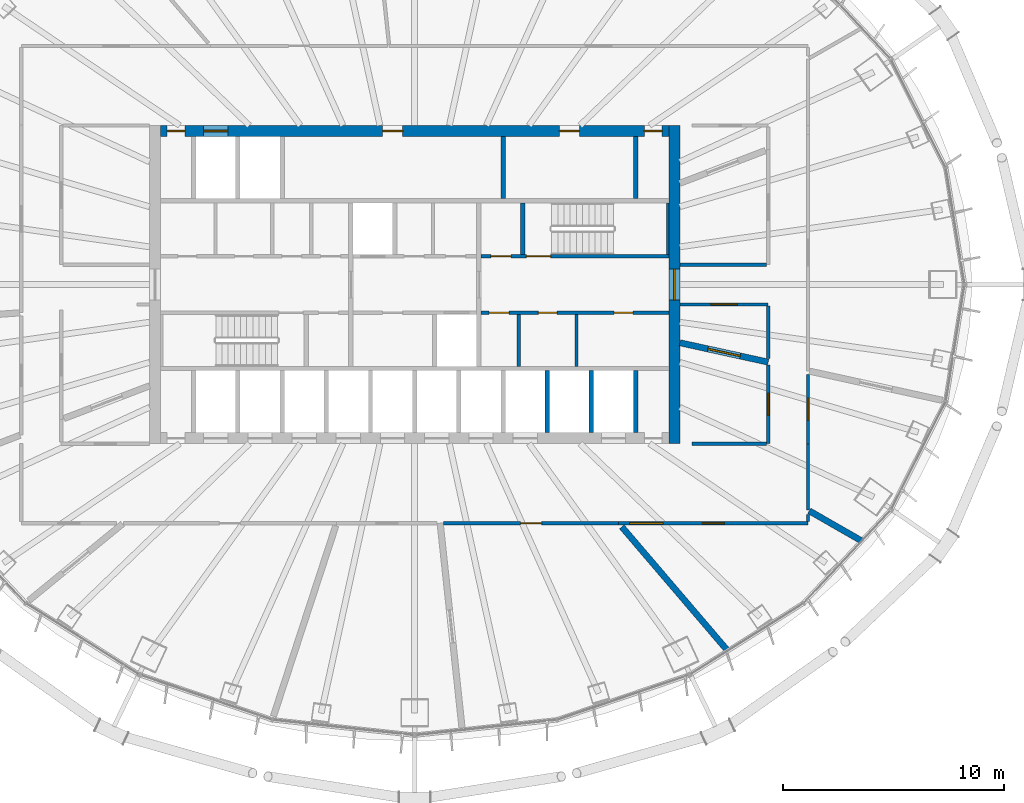
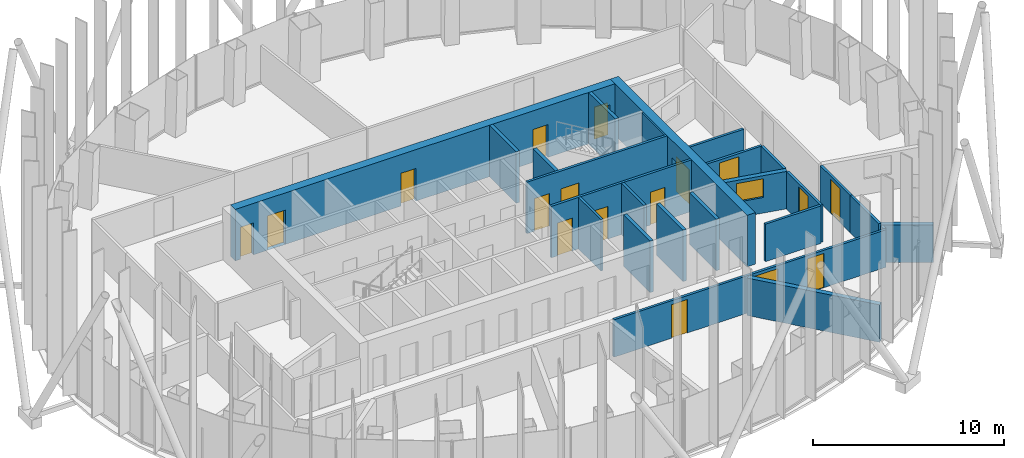
# One storey, part 10 of 19: 26 walls, 16 doors, 2 windows, 18 openings.
"""IFC4 building model written with IfcOpenShell, lengths in metres."""

from ifc_helpers import new_model, si_unit, direction, frame, frame_2d, origin, place, context, subcontext, project, spatial, rectangle, extrude, material, layer, layer_set, type_object, element, fill, save


model = new_model("IFC4")

# Units and contexts
model_context = context("Model", 3, precision=1e-05, world=origin(), true_north=direction((0.0, 1.0)))
body_context = subcontext(model_context, "Body", "Model", "MODEL_VIEW")
ifc_project = project(units=[si_unit("LENGTHUNIT", "METRE"), si_unit("AREAUNIT", "SQUARE_METRE"), si_unit("VOLUMEUNIT", "CUBIC_METRE"), si_unit("PLANEANGLEUNIT", "RADIAN"), si_unit("MASSUNIT", "GRAM", prefix="KILO")], contexts=[model_context])

# Site, building, storey
site_placement = place(None, origin())
site = spatial("IfcSite", under=ifc_project, at=site_placement, CompositionType="ELEMENT")
building_placement = place(site_placement, origin())
building = spatial("IfcBuilding", under=site, at=building_placement, Name="Siaravel Broadcast Tower", CompositionType="ELEMENT")
storey_placement = place(building_placement, frame((0.0, 0.0, 130.39990234375)))
storey = spatial("IfcBuildingStorey", under=building, at=storey_placement, Name="L31", CompositionType="ELEMENT", Elevation=130.39990234375)

# Wall
ifc_material_1 = material(Name="Double-leaf acoustic partition", Category="gypsum")
ifc_layer_1 = layer(ifc_material_1, 0.280029296875)
ifc_layer_set_1 = layer_set([ifc_layer_1], Name="Double-leaf acoustic partition")
wall_type_1 = type_object("IfcWallType", Name="Acoustic double-leaf wall 280", PredefinedType="PARTITIONING", material=ifc_layer_set_1)
wall_1_placement = place(storey_placement, frame((14.1669921875, -16.572998046875, 0.0), z_axis=(0.0, 0.0, 1.0), x_axis=(-0.649760169, 0.760139279, 0.0)))
element("IfcWall", 1, at=wall_1_placement, inside=storey, type_object=wall_type_1, Name="L31 partition 13", PredefinedType="PARTITIONING", context=body_context, shape_type="SweptSolid", body=[
    extrude(rectangle(XDim=7.374267578125, YDim=0.280029296875, at=frame_2d((3.68701171875, 0.0))), origin(), (0.0, 0.0, 1.0), 2.400146484375),
])

# Wall, opening, window
wall_2_placement = place(storey_placement, frame((16.0, -3.51171875, 0.0), z_axis=(0.0, 0.0, 1.0), x_axis=(-0.976750433, 0.214379551, 0.0)))
wall_2 = element("IfcWall", 2, at=wall_2_placement, inside=storey, type_object=wall_type_1, Name="L31 partition 26", PredefinedType="PARTITIONING", context=body_context, shape_type="SweptSolid", body=[
    extrude(rectangle(XDim=4.09521484375, YDim=0.280029296875, at=frame_2d((2.047607421875, 0.0))), origin(), (0.0, 0.0, 1.0), 2.400146484375),
])
opening_1_placement = place(wall_2_placement, frame((1.297607421875, 0.0, 1.0)))
opening_1 = element("IfcOpeningElement", 3, at=opening_1_placement, cuts=wall_2, Name="Opening L31-W06", PredefinedType="OPENING", context=body_context, shape_type="SweptSolid", body=[
    extrude(rectangle(XDim=1.5, YDim=1.199951171875, at=frame_2d((0.75, 0.60009765625))), frame((0.0, 0.14990234375, 0.0), z_axis=(0.0, -1.0, 0.0), x_axis=(1.0, 0.0, 0.0)), (0.0, 0.0, 1.0), 0.300048828125),
])
ifc_material_2 = material(Name="Laminated acoustic glass", Category="glass")
window_type = type_object("IfcWindowType", Name="Studio viewing window 1500", PartitioningType="SINGLE_PANEL", PredefinedType="WINDOW", material=ifc_material_2)
window_1_placement = place(opening_1_placement, origin())
window_1 = element("IfcWindow", 4, at=window_1_placement, inside=storey, type_object=window_type, Name="L31 viewing window to Viewing theatre", OverallHeight=1.199951171875, OverallWidth=1.5, PartitioningType="SINGLE_PANEL", PredefinedType="WINDOW", context=body_context, shape_type="SweptSolid", body=[
    extrude(rectangle(XDim=1.5, YDim=1.199951171875, at=frame_2d((0.75, 0.60009765625))), frame((0.0, 0.030029296875, 0.0), z_axis=(0.0, -1.0, 0.0), x_axis=(1.0, 0.0, 0.0)), (0.0, 0.0, 1.0), 0.06005859375),
])
fill(opening_1, window_1)

# Walls
wall_3_placement = place(storey_placement, frame((20.240234375, -11.60888671875, 0.0), z_axis=(0.0, 0.0, 1.0), x_axis=(-0.867454205, 0.497517037, 0.0)))
element("IfcWall", 5, at=wall_3_placement, inside=storey, type_object=wall_type_1, Name="L31 partition 41", PredefinedType="PARTITIONING", context=body_context, shape_type="SweptSolid", body=[
    extrude(rectangle(XDim=2.74609375, YDim=0.280029296875, at=frame_2d((1.373046875, 0.0))), origin(), (0.0, 0.0, 1.0), 2.400146484375),
])
ifc_material_3 = material(Name="Concrete blockwork", Category="masonry")
ifc_layer_2 = layer(ifc_material_3, 0.14990234375)
ifc_layer_set_2 = layer_set([ifc_layer_2], Name="Concrete blockwork")
wall_type_2 = type_object("IfcWallType", Name="Core partition 150", PredefinedType="PARTITIONING", material=ifc_layer_set_2)
for number, where, z_axis, x_axis, name in (
    (6, (4.715087890625, -3.699951171875, 0.0), (0.0, 0.0, 1.0), (0.0, 1.0, 0.0), "L31 core partition PSE0"),
    (7, (7.324951171875, -3.699951171875, 0.0), (0.0, 0.0, 1.0), (0.0, 1.0, 0.0), "L31 core partition PSE1"),
):
    element("IfcWall", number, at=place(storey_placement, frame(where, z_axis=z_axis, x_axis=x_axis)), inside=storey, type_object=wall_type_2, Name=name, PredefinedType="PARTITIONING", context=body_context, shape_type="SweptSolid", body=[
        extrude(rectangle(XDim=2.349853515625, YDim=0.14990234375, at=frame_2d((1.1748046875, 0.0))), origin(), (0.0, 0.0, 1.0), 3.300048828125),
    ])
ifc_layer_3 = layer(ifc_material_3, 0.199951171875)
ifc_layer_set_3 = layer_set([ifc_layer_3], Name="Concrete blockwork")
wall_type_3 = type_object("IfcWallType", Name="Core partition 200", PredefinedType="PARTITIONING", material=ifc_layer_set_3)
wall_4_placement = place(storey_placement, frame((4.0, 3.89990234375, 0.0), z_axis=(0.0, 0.0, 1.0), x_axis=(0.0, 1.0, 0.0)))
element("IfcWall", 8, at=wall_4_placement, inside=storey, type_object=wall_type_3, Name="L31 core partition PFN2", PredefinedType="PARTITIONING", context=body_context, shape_type="SweptSolid", body=[
    extrude(rectangle(XDim=2.800048828125, YDim=0.199951171875, at=frame_2d((1.39990234375, 0.0))), origin(), (0.0, 0.0, 1.0), 3.300048828125),
])

# Wall, opening, door
ifc_material_4 = material(Name="Concrete C60/75", Category="concrete")
ifc_layer_4 = layer(ifc_material_4, 0.5)
ifc_layer_set_4 = layer_set([ifc_layer_4], Name="Concrete C60/75")
wall_type_4 = type_object("IfcWallType", Name="Core wall 500", PredefinedType="SHEAR", material=ifc_layer_set_4)
wall_5_placement = place(storey_placement, frame((11.75, -7.199951171875, 0.0), z_axis=(0.0, 0.0, 1.0), x_axis=(0.0, 1.0, 0.0)))
wall_5 = element("IfcWall", 9, at=wall_5_placement, inside=storey, type_object=wall_type_4, Name="L31 core wall OE", PredefinedType="SHEAR", context=body_context, shape_type="SweptSolid", body=[
    extrude(rectangle(XDim=14.39990234375, YDim=0.5, at=frame_2d((7.199951171875, 0.0))), origin(), (0.0, 0.0, 1.0), 3.300048828125),
])
opening_2_placement = place(wall_5_placement, frame((6.5, 0.0, 0.0)))
opening_2 = element("IfcOpeningElement", 10, at=opening_2_placement, cuts=wall_5, Name="Opening L31-DX-E", PredefinedType="OPENING", context=body_context, shape_type="SweptSolid", body=[
    extrude(rectangle(XDim=1.39990234375, YDim=2.199951171875, at=frame_2d((0.699951171875, 1.10009765625))), frame((0.0, 0.260009765625, 0.0), z_axis=(0.0, -1.0, 0.0), x_axis=(1.0, 0.0, 0.0)), (0.0, 0.0, 1.0), 0.52001953125),
])
ifc_material_5 = material(Name="Steel", Category="steel")
door_type_1 = type_object("IfcDoorType", Name="Core exit door 1400", OperationType="DOUBLE_DOOR_SINGLE_SWING", PredefinedType="DOOR", material=ifc_material_5)
door_1_placement = place(opening_2_placement, origin())
door_1 = element("IfcDoor", 11, at=door_1_placement, inside=storey, type_object=door_type_1, Name="L31 door DX-E", OperationType="DOUBLE_DOOR_SINGLE_SWING", OverallHeight=2.199951171875, OverallWidth=1.39990234375, PredefinedType="DOOR", context=body_context, shape_type="SweptSolid", body=[
    extrude(rectangle(XDim=1.39990234375, YDim=2.199951171875, at=frame_2d((0.699951171875, 1.10009765625))), frame((0.0, 0.02490234375, 0.0), z_axis=(0.0, -1.0, 0.0), x_axis=(1.0, 0.0, 0.0)), (0.0, 0.0, 1.0), 0.050048828125),
])
fill(opening_2, door_1)

# Wall, openings, doors
wall_6_placement = place(storey_placement, frame((-11.5, 6.949951171875, 0.0), z_axis=(0.0, 0.0, 1.0), x_axis=(1.0, 0.0, 0.0)))
wall_6 = element("IfcWall", 12, at=wall_6_placement, inside=storey, type_object=wall_type_4, Name="L31 core wall ON", PredefinedType="SHEAR", context=body_context, shape_type="SweptSolid", body=[
    extrude(rectangle(XDim=23.0, YDim=0.5, at=frame_2d((11.5, 0.0))), origin(), (0.0, 0.0, 1.0), 3.300048828125),
])
opening_3_placement = place(wall_6_placement, frame((1.949951171875, 0.0, 0.0)))
opening_3 = element("IfcOpeningElement", 13, at=opening_3_placement, cuts=wall_6, Name="Opening LD-SV2-L31", PredefinedType="OPENING", context=body_context, shape_type="SweptSolid", body=[
    extrude(rectangle(XDim=1.10009765625, YDim=2.199951171875, at=frame_2d((0.550048828125, 1.10009765625))), frame((0.0, 0.260009765625, 0.0), z_axis=(0.0, -1.0, 0.0), x_axis=(1.0, 0.0, 0.0)), (0.0, 0.0, 1.0), 0.52001953125),
])
opening_4_placement = place(wall_6_placement, frame((10.050048828125, 0.0, 0.0)))
opening_4 = element("IfcOpeningElement", 14, at=opening_4_placement, cuts=wall_6, Name="Opening L31-DFN2", PredefinedType="OPENING", context=body_context, shape_type="SweptSolid", body=[
    extrude(rectangle(XDim=0.89990234375, YDim=2.10009765625, at=frame_2d((0.449951171875, 1.050048828125))), frame((0.0, 0.260009765625, 0.0), z_axis=(0.0, -1.0, 0.0), x_axis=(1.0, 0.0, 0.0)), (0.0, 0.0, 1.0), 0.52001953125),
])
opening_5_placement = place(wall_6_placement, frame((18.050048828125, 0.0, 0.0)))
opening_5 = element("IfcOpeningElement", 15, at=opening_5_placement, cuts=wall_6, Name="Opening L31-DFN7", PredefinedType="OPENING", context=body_context, shape_type="SweptSolid", body=[
    extrude(rectangle(XDim=0.89990234375, YDim=2.10009765625, at=frame_2d((0.449951171875, 1.050048828125))), frame((0.0, 0.260009765625, 0.0), z_axis=(0.0, -1.0, 0.0), x_axis=(1.0, 0.0, 0.0)), (0.0, 0.0, 1.0), 0.52001953125),
])
opening_6_placement = place(wall_6_placement, frame((0.300048828125, 0.0, 0.0)))
opening_6 = element("IfcOpeningElement", 16, at=opening_6_placement, cuts=wall_6, Name="Opening L31-DRNW", PredefinedType="OPENING", context=body_context, shape_type="SweptSolid", body=[
    extrude(rectangle(XDim=0.800048828125, YDim=2.050048828125, at=frame_2d((0.39990234375, 1.02490234375))), frame((0.0, 0.260009765625, 0.0), z_axis=(0.0, -1.0, 0.0), x_axis=(1.0, 0.0, 0.0)), (0.0, 0.0, 1.0), 0.52001953125),
])
opening_7_placement = place(wall_6_placement, frame((21.89990234375, 0.0, 0.0)))
opening_7 = element("IfcOpeningElement", 17, at=opening_7_placement, cuts=wall_6, Name="Opening L31-DRNE", PredefinedType="OPENING", context=body_context, shape_type="SweptSolid", body=[
    extrude(rectangle(XDim=0.800048828125, YDim=2.050048828125, at=frame_2d((0.39990234375, 1.02490234375))), frame((0.0, 0.260009765625, 0.0), z_axis=(0.0, -1.0, 0.0), x_axis=(1.0, 0.0, 0.0)), (0.0, 0.0, 1.0), 0.52001953125),
])
ifc_material_6 = material(Name="Timber veneer", Category="wood")
door_type_2 = type_object("IfcDoorType", Name="Core room door 900", OperationType="SINGLE_SWING_LEFT", PredefinedType="DOOR", material=ifc_material_6)
door_2_placement = place(opening_4_placement, origin())
door_2 = element("IfcDoor", 18, at=door_2_placement, inside=storey, type_object=door_type_2, Name="L31 door DFN2", OperationType="SINGLE_SWING_LEFT", OverallHeight=2.10009765625, OverallWidth=0.89990234375, PredefinedType="DOOR", context=body_context, shape_type="SweptSolid", body=[
    extrude(rectangle(XDim=0.89990234375, YDim=2.10009765625, at=frame_2d((0.449951171875, 1.050048828125))), frame((0.0, 0.02490234375, 0.0), z_axis=(0.0, -1.0, 0.0), x_axis=(1.0, 0.0, 0.0)), (0.0, 0.0, 1.0), 0.050048828125),
])
fill(opening_4, door_2)
door_3_placement = place(opening_5_placement, origin())
door_3 = element("IfcDoor", 19, at=door_3_placement, inside=storey, type_object=door_type_2, Name="L31 door DFN7", OperationType="SINGLE_SWING_LEFT", OverallHeight=2.10009765625, OverallWidth=0.89990234375, PredefinedType="DOOR", context=body_context, shape_type="SweptSolid", body=[
    extrude(rectangle(XDim=0.89990234375, YDim=2.10009765625, at=frame_2d((0.449951171875, 1.050048828125))), frame((0.0, 0.02490234375, 0.0), z_axis=(0.0, -1.0, 0.0), x_axis=(1.0, 0.0, 0.0)), (0.0, 0.0, 1.0), 0.050048828125),
])
fill(opening_5, door_3)
door_type_3 = type_object("IfcDoorType", Name="Riser door 800", OperationType="SINGLE_SWING_LEFT", PredefinedType="DOOR", material=ifc_material_5)
door_4_placement = place(opening_6_placement, origin())
door_4 = element("IfcDoor", 20, at=door_4_placement, inside=storey, type_object=door_type_3, Name="L31 door DRNW", OperationType="SINGLE_SWING_LEFT", OverallHeight=2.050048828125, OverallWidth=0.800048828125, PredefinedType="DOOR", context=body_context, shape_type="SweptSolid", body=[
    extrude(rectangle(XDim=0.800048828125, YDim=2.050048828125, at=frame_2d((0.39990234375, 1.02490234375))), frame((0.0, 0.02490234375, 0.0), z_axis=(0.0, -1.0, 0.0), x_axis=(1.0, 0.0, 0.0)), (0.0, 0.0, 1.0), 0.050048828125),
])
fill(opening_6, door_4)
door_5_placement = place(opening_7_placement, origin())
door_5 = element("IfcDoor", 21, at=door_5_placement, inside=storey, type_object=door_type_3, Name="L31 door DRNE", OperationType="SINGLE_SWING_LEFT", OverallHeight=2.050048828125, OverallWidth=0.800048828125, PredefinedType="DOOR", context=body_context, shape_type="SweptSolid", body=[
    extrude(rectangle(XDim=0.800048828125, YDim=2.050048828125, at=frame_2d((0.39990234375, 1.02490234375))), frame((0.0, 0.02490234375, 0.0), z_axis=(0.0, -1.0, 0.0), x_axis=(1.0, 0.0, 0.0)), (0.0, 0.0, 1.0), 0.050048828125),
])
fill(opening_7, door_5)
ifc_material_7 = material(Name="Stainless steel 316L", Category="steel")
door_type_4 = type_object("IfcDoorType", Name="Service lift landing door 1100", OperationType="DOUBLE_DOOR_SLIDING", PredefinedType="DOOR", material=ifc_material_7)
door_6_placement = place(opening_3_placement, origin())
door_6 = element("IfcDoor", 22, at=door_6_placement, inside=storey, type_object=door_type_4, Name="Landing door SV2 L31", OperationType="DOUBLE_DOOR_SLIDING", OverallHeight=2.199951171875, OverallWidth=1.10009765625, PredefinedType="DOOR", context=body_context, shape_type="SweptSolid", body=[
    extrude(rectangle(XDim=1.10009765625, YDim=2.199951171875, at=frame_2d((0.550048828125, 1.10009765625))), frame((0.0, 0.02490234375, 0.0), z_axis=(0.0, -1.0, 0.0), x_axis=(1.0, 0.0, 0.0)), (0.0, 0.0, 1.0), 0.050048828125),
])
fill(opening_3, door_6)

ifc_material_8 = material(Name="Gypsum board partition", Category="gypsum")
ifc_layer_5 = layer(ifc_material_8, 0.14990234375)
ifc_layer_set_5 = layer_set([ifc_layer_5], Name="Gypsum board partition")
wall_type_5 = type_object("IfcWallType", Name="Corridor wall 150", PredefinedType="PARTITIONING", material=ifc_layer_set_5)
wall_7_placement = place(storey_placement, frame((3.0, -1.27490234375, 0.0), z_axis=(0.0, 0.0, 1.0), x_axis=(1.0, 0.0, 0.0)))
wall_7 = element("IfcWall", 23, at=wall_7_placement, inside=storey, type_object=wall_type_5, Name="L31 core partition CSE", PredefinedType="PARTITIONING", context=body_context, shape_type="SweptSolid", body=[
    extrude(rectangle(XDim=8.5, YDim=0.14990234375, at=frame_2d((4.25, 0.0))), origin(), (0.0, 0.0, 1.0), 3.300048828125),
])
opening_8_placement = place(wall_7_placement, frame((0.3701171875, 0.0, 0.0)))
opening_8 = element("IfcOpeningElement", 24, at=opening_8_placement, cuts=wall_7, Name="Opening L31-DSE0", PredefinedType="OPENING", context=body_context, shape_type="SweptSolid", body=[
    extrude(rectangle(XDim=0.89990234375, YDim=2.10009765625, at=frame_2d((0.449951171875, 1.050048828125))), frame((0.0, 0.0849609375, 0.0), z_axis=(0.0, -1.0, 0.0), x_axis=(1.0, 0.0, 0.0)), (0.0, 0.0, 1.0), 0.169921875),
])
opening_9_placement = place(wall_7_placement, frame((2.594970703125, 0.0, 0.0)))
opening_9 = element("IfcOpeningElement", 25, at=opening_9_placement, cuts=wall_7, Name="Opening L31-DSE1", PredefinedType="OPENING", context=body_context, shape_type="SweptSolid", body=[
    extrude(rectangle(XDim=0.85009765625, YDim=2.10009765625, at=frame_2d((0.425048828125, 1.050048828125))), frame((0.0, 0.0849609375, 0.0), z_axis=(0.0, -1.0, 0.0), x_axis=(1.0, 0.0, 0.0)), (0.0, 0.0, 1.0), 0.169921875),
])
opening_10_placement = place(wall_7_placement, frame((6.02490234375, 0.0, 0.0)))
opening_10 = element("IfcOpeningElement", 26, at=opening_10_placement, cuts=wall_7, Name="Opening L31-DSE2", PredefinedType="OPENING", context=body_context, shape_type="SweptSolid", body=[
    extrude(rectangle(XDim=0.85009765625, YDim=2.10009765625, at=frame_2d((0.425048828125, 1.050048828125))), frame((0.0, 0.0849609375, 0.0), z_axis=(0.0, -1.0, 0.0), x_axis=(1.0, 0.0, 0.0)), (0.0, 0.0, 1.0), 0.169921875),
])
door_7_placement = place(opening_8_placement, origin())
door_7 = element("IfcDoor", 27, at=door_7_placement, inside=storey, type_object=door_type_2, Name="L31 door DSE0", OperationType="SINGLE_SWING_LEFT", OverallHeight=2.10009765625, OverallWidth=0.89990234375, PredefinedType="DOOR", context=body_context, shape_type="SweptSolid", body=[
    extrude(rectangle(XDim=0.89990234375, YDim=2.10009765625, at=frame_2d((0.449951171875, 1.050048828125))), frame((0.0, 0.02490234375, 0.0), z_axis=(0.0, -1.0, 0.0), x_axis=(1.0, 0.0, 0.0)), (0.0, 0.0, 1.0), 0.050048828125),
])
fill(opening_8, door_7)
door_type_5 = type_object("IfcDoorType", Name="Core toilet door 850", OperationType="SINGLE_SWING_LEFT", PredefinedType="DOOR", material=ifc_material_6)
door_8_placement = place(opening_9_placement, origin())
door_8 = element("IfcDoor", 28, at=door_8_placement, inside=storey, type_object=door_type_5, Name="L31 door DSE1", OperationType="SINGLE_SWING_LEFT", OverallHeight=2.10009765625, OverallWidth=0.85009765625, PredefinedType="DOOR", context=body_context, shape_type="SweptSolid", body=[
    extrude(rectangle(XDim=0.85009765625, YDim=2.10009765625, at=frame_2d((0.425048828125, 1.050048828125))), frame((0.0, 0.02490234375, 0.0), z_axis=(0.0, -1.0, 0.0), x_axis=(1.0, 0.0, 0.0)), (0.0, 0.0, 1.0), 0.050048828125),
])
fill(opening_9, door_8)
door_9_placement = place(opening_10_placement, origin())
door_9 = element("IfcDoor", 29, at=door_9_placement, inside=storey, type_object=door_type_5, Name="L31 door DSE2", OperationType="SINGLE_SWING_LEFT", OverallHeight=2.10009765625, OverallWidth=0.85009765625, PredefinedType="DOOR", context=body_context, shape_type="SweptSolid", body=[
    extrude(rectangle(XDim=0.85009765625, YDim=2.10009765625, at=frame_2d((0.425048828125, 1.050048828125))), frame((0.0, 0.02490234375, 0.0), z_axis=(0.0, -1.0, 0.0), x_axis=(1.0, 0.0, 0.0)), (0.0, 0.0, 1.0), 0.050048828125),
])
fill(opening_10, door_9)

# Wall, openings, door, window
wall_8_placement = place(storey_placement, frame((9.232177734375, -10.800048828125, 0.0), z_axis=(0.0, 0.0, 1.0), x_axis=(1.0, 0.0, 0.0)))
wall_8 = element("IfcWall", 30, at=wall_8_placement, inside=storey, type_object=wall_type_5, Name="L31 partition 8", PredefinedType="PARTITIONING", context=body_context, shape_type="SweptSolid", body=[
    extrude(rectangle(XDim=8.56787109375, YDim=0.14990234375, at=frame_2d((4.283935546875, 0.0))), origin(), (0.0, 0.0, 1.0), 2.400146484375),
])
opening_11_placement = place(wall_8_placement, frame((3.783935546875, 0.0, 0.0)))
opening_11 = element("IfcOpeningElement", 31, at=opening_11_placement, cuts=wall_8, Name="Opening L31-013", PredefinedType="OPENING", context=body_context, shape_type="SweptSolid", body=[
    extrude(rectangle(XDim=1.0, YDim=2.199951171875, at=frame_2d((0.5, 1.10009765625))), frame((0.0, 0.0849609375, 0.0), z_axis=(0.0, -1.0, 0.0), x_axis=(1.0, 0.0, 0.0)), (0.0, 0.0, 1.0), 0.169921875),
])
opening_12_placement = place(wall_8_placement, frame((0.5, 0.0, 1.0)))
opening_12 = element("IfcOpeningElement", 32, at=opening_12_placement, cuts=wall_8, Name="Opening L31-W05", PredefinedType="OPENING", context=body_context, shape_type="SweptSolid", body=[
    extrude(rectangle(XDim=1.5, YDim=1.199951171875, at=frame_2d((0.75, 0.60009765625))), frame((0.0, 0.0849609375, 0.0), z_axis=(0.0, -1.0, 0.0), x_axis=(1.0, 0.0, 0.0)), (0.0, 0.0, 1.0), 0.169921875),
])
ifc_material_9 = material(Name="Acoustic timber and steel", Category="steel")
door_type_6 = type_object("IfcDoorType", Name="Acoustic door 1000", OperationType="SINGLE_SWING_LEFT", PredefinedType="DOOR", material=ifc_material_9)
door_10_placement = place(opening_11_placement, origin())
door_10 = element("IfcDoor", 33, at=door_10_placement, inside=storey, type_object=door_type_6, Name="L31 door to Post-production room", OperationType="SINGLE_SWING_LEFT", OverallHeight=2.199951171875, OverallWidth=1.0, PredefinedType="DOOR", context=body_context, shape_type="SweptSolid", body=[
    extrude(rectangle(XDim=1.0, YDim=2.199951171875, at=frame_2d((0.5, 1.10009765625))), frame((0.0, 0.02490234375, 0.0), z_axis=(0.0, -1.0, 0.0), x_axis=(1.0, 0.0, 0.0)), (0.0, 0.0, 1.0), 0.050048828125),
])
fill(opening_11, door_10)
window_2_placement = place(opening_12_placement, origin())
window_2 = element("IfcWindow", 34, at=window_2_placement, inside=storey, type_object=window_type, Name="L31 viewing window to Post-production room", OverallHeight=1.199951171875, OverallWidth=1.5, PartitioningType="SINGLE_PANEL", PredefinedType="WINDOW", context=body_context, shape_type="SweptSolid", body=[
    extrude(rectangle(XDim=1.5, YDim=1.199951171875, at=frame_2d((0.75, 0.60009765625))), frame((0.0, 0.030029296875, 0.0), z_axis=(0.0, -1.0, 0.0), x_axis=(1.0, 0.0, 0.0)), (0.0, 0.0, 1.0), 0.06005859375),
])
fill(opening_12, window_2)

# Wall, opening, door
wall_9_placement = place(storey_placement, frame((1.304443359375, -10.800048828125, 0.0), z_axis=(0.0, 0.0, 1.0), x_axis=(1.0, 0.0, 0.0)))
wall_9 = element("IfcWall", 35, at=wall_9_placement, inside=storey, type_object=wall_type_5, Name="L31 partition 11", PredefinedType="PARTITIONING", context=body_context, shape_type="SweptSolid", body=[
    extrude(rectangle(XDim=7.9267578125, YDim=0.14990234375, at=frame_2d((3.96337890625, 0.0))), origin(), (0.0, 0.0, 1.0), 2.400146484375),
])
opening_13_placement = place(wall_9_placement, frame((3.48828125, 0.0, 0.0)))
opening_13 = element("IfcOpeningElement", 36, at=opening_13_placement, cuts=wall_9, Name="Opening L31-012", PredefinedType="OPENING", context=body_context, shape_type="SweptSolid", body=[
    extrude(rectangle(XDim=0.949951171875, YDim=2.14990234375, at=frame_2d((0.47509765625, 1.074951171875))), frame((0.0, 0.0849609375, 0.0), z_axis=(0.0, -1.0, 0.0), x_axis=(1.0, 0.0, 0.0)), (0.0, 0.0, 1.0), 0.169921875),
])
door_type_7 = type_object("IfcDoorType", Name="Office door 950", OperationType="SINGLE_SWING_LEFT", PredefinedType="DOOR", material=ifc_material_6)
door_11_placement = place(opening_13_placement, origin())
door_11 = element("IfcDoor", 37, at=door_11_placement, inside=storey, type_object=door_type_7, Name="L31 door to Design studio", OperationType="SINGLE_SWING_RIGHT", OverallHeight=2.14990234375, OverallWidth=0.949951171875, PredefinedType="DOOR", context=body_context, shape_type="SweptSolid", body=[
    extrude(rectangle(XDim=0.949951171875, YDim=2.14990234375, at=frame_2d((0.47509765625, 1.074951171875))), frame((0.0, 0.02490234375, 0.0), z_axis=(0.0, -1.0, 0.0), x_axis=(1.0, 0.0, 0.0)), (0.0, 0.0, 1.0), 0.050048828125),
])
fill(opening_13, door_11)

wall_10_placement = place(storey_placement, frame((12.0, -0.89990234375, 0.0), z_axis=(0.0, 0.0, 1.0), x_axis=(1.0, 0.0, 0.0)))
wall_10 = element("IfcWall", 38, at=wall_10_placement, inside=storey, type_object=wall_type_5, Name="L31 partition 30", PredefinedType="PARTITIONING", context=body_context, shape_type="SweptSolid", body=[
    extrude(rectangle(XDim=4.0, YDim=0.14990234375, at=frame_2d((2.0, 0.0))), origin(), (0.0, 0.0, 1.0), 2.400146484375),
])
opening_14_placement = place(wall_10_placement, frame((1.39990234375, 0.0, 0.0)))
opening_14 = element("IfcOpeningElement", 39, at=opening_14_placement, cuts=wall_10, Name="Opening L31-017", PredefinedType="OPENING", context=body_context, shape_type="SweptSolid", body=[
    extrude(rectangle(XDim=1.199951171875, YDim=2.199951171875, at=frame_2d((0.60009765625, 1.10009765625))), frame((0.0, 0.0849609375, 0.0), z_axis=(0.0, -1.0, 0.0), x_axis=(1.0, 0.0, 0.0)), (0.0, 0.0, 1.0), 0.169921875),
])
door_type_8 = type_object("IfcDoorType", Name="Office double door 1200", OperationType="DOUBLE_DOOR_SINGLE_SWING", PredefinedType="DOOR", material=ifc_material_6)
door_12_placement = place(opening_14_placement, origin())
door_12 = element("IfcDoor", 40, at=door_12_placement, inside=storey, type_object=door_type_8, Name="L31 door to Open plan production office", OperationType="DOUBLE_DOOR_SINGLE_SWING", OverallHeight=2.199951171875, OverallWidth=1.199951171875, PredefinedType="DOOR", context=body_context, shape_type="SweptSolid", body=[
    extrude(rectangle(XDim=1.199951171875, YDim=2.199951171875, at=frame_2d((0.60009765625, 1.10009765625))), frame((0.0, 0.02490234375, 0.0), z_axis=(0.0, -1.0, 0.0), x_axis=(1.0, 0.0, 0.0)), (0.0, 0.0, 1.0), 0.050048828125),
])
fill(opening_14, door_12)

# Wall
wall_11_placement = place(storey_placement, frame((15.923095703125, 0.89990234375, 0.0), z_axis=(0.0, 0.0, 1.0), x_axis=(-1.0, 0.0, 0.0)))
element("IfcWall", 41, at=wall_11_placement, inside=storey, type_object=wall_type_5, Name="L31 partition 31", PredefinedType="PARTITIONING", context=body_context, shape_type="SweptSolid", body=[
    extrude(rectangle(XDim=3.923095703125, YDim=0.14990234375, at=frame_2d((1.96142578125, 0.0))), origin(), (0.0, 0.0, 1.0), 2.400146484375),
])

# Wall, opening, door
wall_12_placement = place(storey_placement, frame((16.0, -3.650390625, 0.0), z_axis=(0.0, 0.0, 1.0), x_axis=(0.0, -1.0, 0.0)))
wall_12 = element("IfcWall", 42, at=wall_12_placement, inside=storey, type_object=wall_type_5, Name="L31 partition 32", PredefinedType="PARTITIONING", context=body_context, shape_type="SweptSolid", body=[
    extrude(rectangle(XDim=3.549560546875, YDim=0.14990234375, at=frame_2d((1.77490234375, 0.0))), origin(), (0.0, 0.0, 1.0), 2.400146484375),
])
opening_15_placement = place(wall_12_placement, frame((1.27490234375, 0.0, 0.0)))
opening_15 = element("IfcOpeningElement", 43, at=opening_15_placement, cuts=wall_12, Name="Opening L31-014", PredefinedType="OPENING", context=body_context, shape_type="SweptSolid", body=[
    extrude(rectangle(XDim=1.0, YDim=2.199951171875, at=frame_2d((0.5, 1.10009765625))), frame((0.0, 0.0849609375, 0.0), z_axis=(0.0, -1.0, 0.0), x_axis=(1.0, 0.0, 0.0)), (0.0, 0.0, 1.0), 0.169921875),
])
door_13_placement = place(opening_15_placement, origin())
door_13 = element("IfcDoor", 44, at=door_13_placement, inside=storey, type_object=door_type_6, Name="L31 door to Viewing theatre", OperationType="SINGLE_SWING_RIGHT", OverallHeight=2.199951171875, OverallWidth=1.0, PredefinedType="DOOR", context=body_context, shape_type="SweptSolid", body=[
    extrude(rectangle(XDim=1.0, YDim=2.199951171875, at=frame_2d((0.5, 1.10009765625))), frame((0.0, 0.02490234375, 0.0), z_axis=(0.0, -1.0, 0.0), x_axis=(1.0, 0.0, 0.0)), (0.0, 0.0, 1.0), 0.050048828125),
])
fill(opening_15, door_13)

# Wall
wall_13_placement = place(storey_placement, frame((15.923095703125, -7.199951171875, 0.0), z_axis=(0.0, 0.0, 1.0), x_axis=(-1.0, 0.0, 0.0)))
element("IfcWall", 45, at=wall_13_placement, inside=storey, type_object=wall_type_5, Name="L31 partition 36", PredefinedType="PARTITIONING", context=body_context, shape_type="SweptSolid", body=[
    extrude(rectangle(XDim=3.36962890625, YDim=0.14990234375, at=frame_2d((1.684814453125, 0.0))), origin(), (0.0, 0.0, 1.0), 2.400146484375),
])

# Wall, opening, door
wall_14_placement = place(storey_placement, frame((17.800048828125, -7.2119140625, 0.0), z_axis=(0.0, 0.0, 1.0), x_axis=(0.0, 1.0, 0.0)))
wall_14 = element("IfcWall", 46, at=wall_14_placement, inside=storey, type_object=wall_type_5, Name="L31 partition 37", PredefinedType="PARTITIONING", context=body_context, shape_type="SweptSolid", body=[
    extrude(rectangle(XDim=3.1455078125, YDim=0.14990234375, at=frame_2d((1.57275390625, 0.0))), origin(), (0.0, 0.0, 1.0), 2.400146484375),
])
opening_16_placement = place(wall_14_placement, frame((1.07275390625, 0.0, 0.0)))
opening_16 = element("IfcOpeningElement", 47, at=opening_16_placement, cuts=wall_14, Name="Opening L31-015", PredefinedType="OPENING", context=body_context, shape_type="SweptSolid", body=[
    extrude(rectangle(XDim=1.0, YDim=2.199951171875, at=frame_2d((0.5, 1.10009765625))), frame((0.0, 0.0849609375, 0.0), z_axis=(0.0, -1.0, 0.0), x_axis=(1.0, 0.0, 0.0)), (0.0, 0.0, 1.0), 0.169921875),
])
door_14_placement = place(opening_16_placement, origin())
door_14 = element("IfcDoor", 48, at=door_14_placement, inside=storey, type_object=door_type_6, Name="L31 door to Viewing theatre", OperationType="SINGLE_SWING_LEFT", OverallHeight=2.199951171875, OverallWidth=1.0, PredefinedType="DOOR", context=body_context, shape_type="SweptSolid", body=[
    extrude(rectangle(XDim=1.0, YDim=2.199951171875, at=frame_2d((0.5, 1.10009765625))), frame((0.0, 0.02490234375, 0.0), z_axis=(0.0, -1.0, 0.0), x_axis=(1.0, 0.0, 0.0)), (0.0, 0.0, 1.0), 0.050048828125),
])
fill(opening_16, door_14)

# Walls
wall_15_placement = place(storey_placement, frame((17.800048828125, -10.209228515625, 0.0), z_axis=(0.0, 0.0, 1.0), x_axis=(0.0, 1.0, 0.0)))
element("IfcWall", 49, at=wall_15_placement, inside=storey, type_object=wall_type_5, Name="L31 partition 38", PredefinedType="PARTITIONING", context=body_context, shape_type="SweptSolid", body=[
    extrude(rectangle(XDim=2.996337890625, YDim=0.14990234375, at=frame_2d((1.498046875, 0.0))), origin(), (0.0, 0.0, 1.0), 2.400146484375),
])
wall_16_placement = place(storey_placement, frame((16.0, -0.97705078125, 0.0), z_axis=(0.0, 0.0, 1.0), x_axis=(0.0, -1.0, 0.0)))
element("IfcWall", 50, at=wall_16_placement, inside=storey, type_object=wall_type_5, Name="L31 partition 42", PredefinedType="PARTITIONING", context=body_context, shape_type="SweptSolid", body=[
    extrude(rectangle(XDim=2.372802734375, YDim=0.14990234375, at=frame_2d((1.1865234375, 0.0))), origin(), (0.0, 0.0, 1.0), 2.400146484375),
])
wall_17_placement = place(storey_placement, frame((17.800048828125, -10.722900390625, 0.0), z_axis=(0.0, 0.0, 1.0), x_axis=(0.0, 1.0, 0.0)))
element("IfcWall", 51, at=wall_17_placement, inside=storey, type_object=wall_type_5, Name="L31 partition 45", PredefinedType="PARTITIONING", context=body_context, shape_type="SweptSolid", body=[
    extrude(rectangle(XDim=0.307373046875, YDim=0.14990234375, at=frame_2d((0.15380859375, 0.0))), origin(), (0.0, 0.0, 1.0), 2.400146484375),
])
ifc_layer_6 = layer(ifc_material_4, 0.10009765625)
ifc_layer_set_6 = layer_set([ifc_layer_6], Name="Concrete C60/75")
wall_type_6 = type_object("IfcWallType", Name="Shaft wall 100", PredefinedType="SHEAR", material=ifc_layer_set_6)
wall_18_placement = place(storey_placement, frame((11.449951171875, 1.35009765625, 0.0), z_axis=(0.0, 0.0, 1.0), x_axis=(0.0, 1.0, 0.0)))
element("IfcWall", 52, at=wall_18_placement, inside=storey, type_object=wall_type_6, Name="L31 core wall ST2E", PredefinedType="SHEAR", context=body_context, shape_type="SweptSolid", body=[
    extrude(rectangle(XDim=2.349853515625, YDim=0.10009765625, at=frame_2d((1.1748046875, 0.0))), origin(), (0.0, 0.0, 1.0), 3.300048828125),
])

# Wall, openings, doors
ifc_layer_7 = layer(ifc_material_4, 0.14990234375)
ifc_layer_set_7 = layer_set([ifc_layer_7], Name="Concrete C60/75")
wall_type_7 = type_object("IfcWallType", Name="Shaft wall 150", PredefinedType="SHEAR", material=ifc_layer_set_7)
wall_19_placement = place(storey_placement, frame((3.0, 1.27490234375, 0.0), z_axis=(0.0, 0.0, 1.0), x_axis=(1.0, 0.0, 0.0)))
wall_19 = element("IfcWall", 53, at=wall_19_placement, inside=storey, type_object=wall_type_7, Name="L31 core wall CNE", PredefinedType="SHEAR", context=body_context, shape_type="SweptSolid", body=[
    extrude(rectangle(XDim=8.5, YDim=0.14990234375, at=frame_2d((4.25, 0.0))), origin(), (0.0, 0.0, 1.0), 3.300048828125),
])
opening_17_placement = place(wall_19_placement, frame((2.050048828125, 0.0, 0.0)))
opening_17 = element("IfcOpeningElement", 54, at=opening_17_placement, cuts=wall_19, Name="Opening L31-DS-2", PredefinedType="OPENING", context=body_context, shape_type="SweptSolid", body=[
    extrude(rectangle(XDim=1.10009765625, YDim=2.14990234375, at=frame_2d((0.550048828125, 1.074951171875))), frame((0.0, 0.0849609375, 0.0), z_axis=(0.0, -1.0, 0.0), x_axis=(1.0, 0.0, 0.0)), (0.0, 0.0, 1.0), 0.169921875),
])
opening_18_placement = place(wall_19_placement, frame((0.449951171875, 0.0, 0.0)))
opening_18 = element("IfcOpeningElement", 55, at=opening_18_placement, cuts=wall_19, Name="Opening L31-DNE0", PredefinedType="OPENING", context=body_context, shape_type="SweptSolid", body=[
    extrude(rectangle(XDim=0.89990234375, YDim=2.10009765625, at=frame_2d((0.449951171875, 1.050048828125))), frame((0.0, 0.0849609375, 0.0), z_axis=(0.0, -1.0, 0.0), x_axis=(1.0, 0.0, 0.0)), (0.0, 0.0, 1.0), 0.169921875),
])
door_15_placement = place(opening_18_placement, origin())
door_15 = element("IfcDoor", 56, at=door_15_placement, inside=storey, type_object=door_type_2, Name="L31 door DNE0", OperationType="SINGLE_SWING_LEFT", OverallHeight=2.10009765625, OverallWidth=0.89990234375, PredefinedType="DOOR", context=body_context, shape_type="SweptSolid", body=[
    extrude(rectangle(XDim=0.89990234375, YDim=2.10009765625, at=frame_2d((0.449951171875, 1.050048828125))), frame((0.0, 0.02490234375, 0.0), z_axis=(0.0, -1.0, 0.0), x_axis=(1.0, 0.0, 0.0)), (0.0, 0.0, 1.0), 0.050048828125),
])
fill(opening_18, door_15)
door_type_9 = type_object("IfcDoorType", Name="Stair door 1100", OperationType="SINGLE_SWING_LEFT", PredefinedType="DOOR", material=ifc_material_5)
door_16_placement = place(opening_17_placement, origin())
door_16 = element("IfcDoor", 57, at=door_16_placement, inside=storey, type_object=door_type_9, Name="L31 door DS-2", OperationType="SINGLE_SWING_LEFT", OverallHeight=2.14990234375, OverallWidth=1.10009765625, PredefinedType="DOOR", context=body_context, shape_type="SweptSolid", body=[
    extrude(rectangle(XDim=1.10009765625, YDim=2.14990234375, at=frame_2d((0.550048828125, 1.074951171875))), frame((0.0, 0.02490234375, 0.0), z_axis=(0.0, -1.0, 0.0), x_axis=(1.0, 0.0, 0.0)), (0.0, 0.0, 1.0), 0.050048828125),
])
fill(opening_17, door_16)

# Walls
ifc_layer_8 = layer(ifc_material_4, 0.199951171875)
ifc_layer_set_8 = layer_set([ifc_layer_8], Name="Concrete C60/75")
wall_type_8 = type_object("IfcWallType", Name="Shaft wall 200", PredefinedType="SHEAR", material=ifc_layer_set_8)
for number, where, z_axis, x_axis, name in (
    (58, (6.0, -6.699951171875, 0.0), (0.0, 0.0, 1.0), (0.0, 1.0, 0.0), "L31 core wall SWS8"),
    (59, (8.0, -6.699951171875, 0.0), (0.0, 0.0, 1.0), (0.0, 1.0, 0.0), "L31 core wall SWS9"),
    (60, (10.0, -6.699951171875, 0.0), (0.0, 0.0, 1.0), (0.0, 1.0, 0.0), "L31 core wall SWS10"),
    (61, (10.0, 3.89990234375, 0.0), (0.0, 0.0, 1.0), (0.0, 1.0, 0.0), "L31 core wall SWN10"),
):
    element("IfcWall", number, at=place(storey_placement, frame(where, z_axis=z_axis, x_axis=x_axis)), inside=storey, type_object=wall_type_8, Name=name, PredefinedType="SHEAR", context=body_context, shape_type="SweptSolid", body=[
        extrude(rectangle(XDim=2.800048828125, YDim=0.199951171875, at=frame_2d((1.39990234375, 0.0))), origin(), (0.0, 0.0, 1.0), 3.300048828125),
    ])
wall_20_placement = place(storey_placement, frame((4.89990234375, 1.35009765625, 0.0), z_axis=(0.0, 0.0, 1.0), x_axis=(0.0, 1.0, 0.0)))
element("IfcWall", 62, at=wall_20_placement, inside=storey, type_object=wall_type_8, Name="L31 core wall ST2W", PredefinedType="SHEAR", context=body_context, shape_type="SweptSolid", body=[
    extrude(rectangle(XDim=2.349853515625, YDim=0.199951171875, at=frame_2d((1.1748046875, 0.0))), origin(), (0.0, 0.0, 1.0), 3.300048828125),
])

save(model, "model.ifc")
